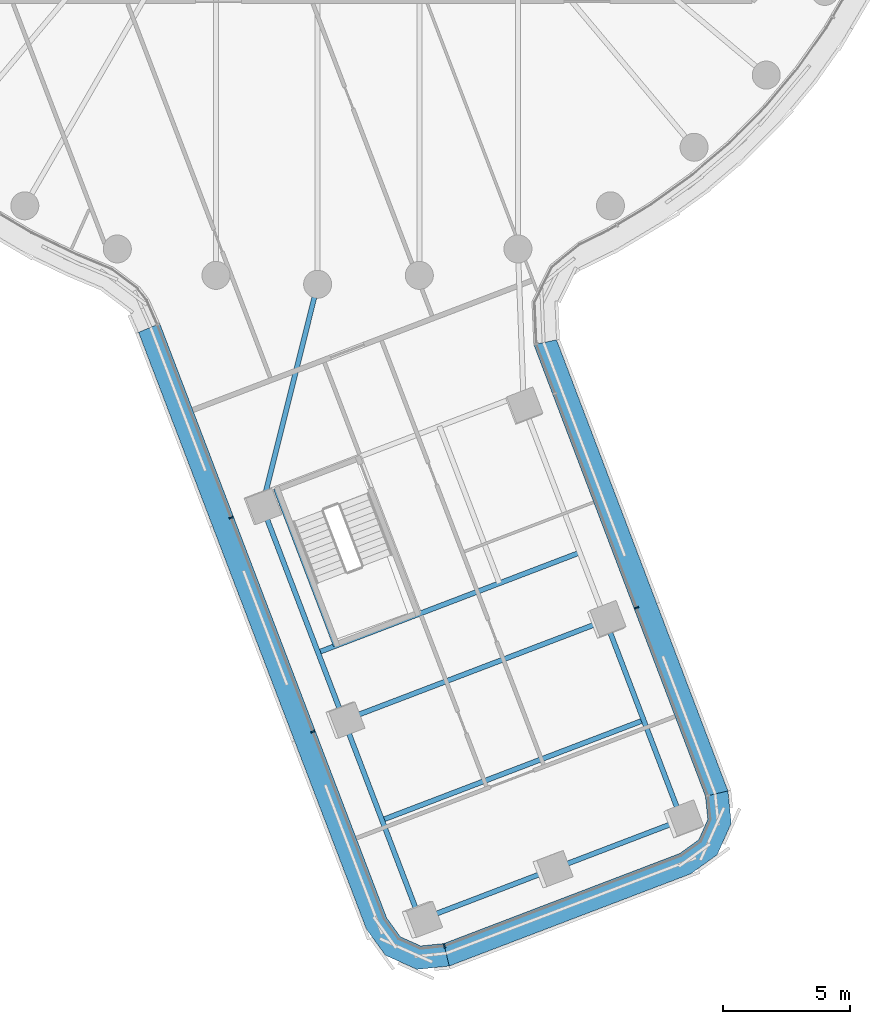
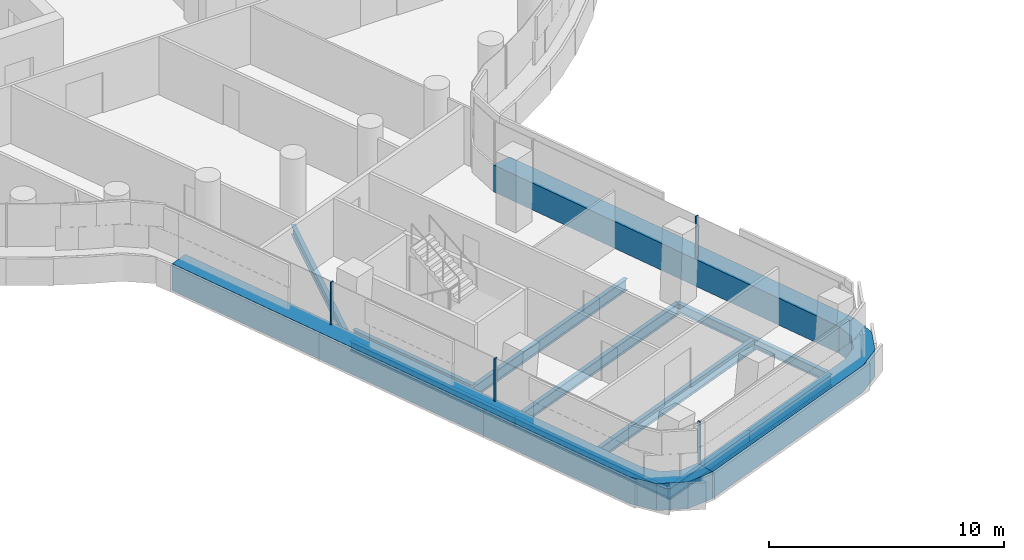
# One storey, part 2 of 32: 10 beams, 7 members, 3 elements without a shape of their own.
"""IFC4 building model written with IfcOpenShell, lengths in metres."""

from ifc_helpers import new_model, si_unit, direction, frame, origin, origin_2d, place, context, subcontext, project, spatial, polyline, rectangle, i_section, outline, extrude, material, layer, layer_set, material_profile, profile_set, type_object, element, aggregate, save


model = new_model("IFC4")

# Units and contexts
model_context = context("Model", 3, precision=1e-05, world=origin(), true_north=direction((0.0, 1.0)))
body_context = subcontext(model_context, "Body", "Model", "MODEL_VIEW")
ifc_project = project(units=[si_unit("LENGTHUNIT", "METRE"), si_unit("AREAUNIT", "SQUARE_METRE"), si_unit("VOLUMEUNIT", "CUBIC_METRE"), si_unit("PLANEANGLEUNIT", "RADIAN"), si_unit("MASSUNIT", "GRAM", prefix="KILO")], contexts=[model_context])

# Site, building, storey
site_placement = place(None, origin())
site = spatial("IfcSite", under=ifc_project, at=site_placement, CompositionType="ELEMENT")
building_placement = place(site_placement, origin())
building = spatial("IfcBuilding", under=site, at=building_placement, Name="Tamarind Cross Interchange Tower", CompositionType="ELEMENT")
storey_placement = place(building_placement, frame((0.0, 0.0, 109.75)))
storey = spatial("IfcBuildingStorey", under=building, at=storey_placement, Name="L26", CompositionType="ELEMENT", Elevation=109.75)

# Beams
ifc_material_1 = material(Name="Steel Q355B", Category="steel")
ifc_material_profile_1 = material_profile(ifc_material_1, i_section(OverallWidth=0.198974609375, OverallDepth=0.49609375, WebThickness=0.009033203125, FlangeThickness=0.013916015625, FilletRadius=0.012939453125, at=origin_2d()), Name="HN 496x199x9x14")
ifc_profile_set_1 = profile_set([ifc_material_profile_1], Name="Steel Q355B")
beam_type_1 = type_object("IfcBeamType", Name="Composite beam HN 496x199x9x14 Q355B", PredefinedType="BEAM", material=ifc_profile_set_1)
beam_1_placement = place(storey_placement, frame((4.025390625, -47.9638671875, -0.387939453125), z_axis=(-0.356667865353, 0.934231252862, 0.0), x_axis=(-0.934231252862, -0.356667865353, 0.0)))
element("IfcBeam", 1, at=beam_1_placement, inside=storey, type_object=beam_type_1, Name="Beam S-edgeem5", PredefinedType="BEAM", context=body_context, shape_type="SweptSolid", body=[
    extrude(i_section(OverallWidth=0.198974609375, OverallDepth=0.49609375, WebThickness=0.009033203125, FlangeThickness=0.013916015625, FilletRadius=0.012939453125, at=origin_2d()), origin(), (0.0, 0.0, 1.0), 8.39208984375),
])
beam_2_placement = place(storey_placement, frame((1.0322265625, -40.123779296875, -0.387939453125), z_axis=(-0.356691234546, 0.934222330711, 0.0), x_axis=(-0.934222330711, -0.356691234546, 0.0)))
element("IfcBeam", 2, at=beam_2_placement, inside=storey, type_object=beam_type_1, Name="Beam S-edgeem6", PredefinedType="BEAM", context=body_context, shape_type="SweptSolid", body=[
    extrude(i_section(OverallWidth=0.198974609375, OverallDepth=0.49609375, WebThickness=0.009033203125, FlangeThickness=0.013916015625, FilletRadius=0.012939453125, at=origin_2d()), origin(), (0.0, 0.0, 1.0), 9.0),
])
beam_3_placement = place(storey_placement, frame((14.3017578125, -44.040283203125, -0.387939453125), z_axis=(-0.356677559349, 0.934227551861, 0.0), x_axis=(-0.934227551861, -0.356677559349, 0.0)))
element("IfcBeam", 3, at=beam_3_placement, inside=storey, type_object=beam_type_1, Name="Beam S-edgeep2", PredefinedType="BEAM", context=body_context, shape_type="SweptSolid", body=[
    extrude(i_section(OverallWidth=0.198974609375, OverallDepth=0.49609375, WebThickness=0.009033203125, FlangeThickness=0.013916015625, FilletRadius=0.012939453125, at=origin_2d()), origin(), (0.0, 0.0, 1.0), 8.391845703125),
])
beam_4_placement = place(storey_placement, frame((-2.177978515625, -31.7158203125, -0.387939453125), z_axis=(0.242433315636, 0.970168071764, 0.0), x_axis=(-0.970168071764, 0.242433315636, 0.0)))
element("IfcBeam", 4, at=beam_4_placement, inside=storey, type_object=beam_type_1, Name="Beam S-linkem", PredefinedType="BEAM", context=body_context, shape_type="SweptSolid", body=[
    extrude(i_section(OverallWidth=0.198974609375, OverallDepth=0.49609375, WebThickness=0.009033203125, FlangeThickness=0.013916015625, FilletRadius=0.012939453125, at=origin_2d()), origin(), (0.0, 0.0, 1.0), 8.98388671875),
])
beam_5_placement = place(storey_placement, frame((-1.6376953125, -31.02783203125, -0.387939453125), z_axis=(0.356662824508, -0.934233177325, 0.0), x_axis=(0.934233177325, 0.356662824508, 0.0)))
element("IfcBeam", 5, at=beam_5_placement, inside=storey, type_object=beam_type_1, Name="Beam S-tr0", PredefinedType="BEAM", context=body_context, shape_type="SweptSolid", body=[
    extrude(i_section(OverallWidth=0.198974609375, OverallDepth=0.49609375, WebThickness=0.009033203125, FlangeThickness=0.013916015625, FilletRadius=0.012939453125, at=origin_2d()), origin(), (0.0, 0.0, 1.0), 6.60009765625),
])
ifc_material_profile_2 = material_profile(ifc_material_1, i_section(OverallWidth=0.199951171875, OverallDepth=0.60009765625, WebThickness=0.010986328125, FlangeThickness=0.01708984375, FilletRadius=0.012939453125, at=origin_2d()), Name="HN 600x200x11x17")
ifc_profile_set_2 = profile_set([ifc_material_profile_2], Name="Steel Q355B")
beam_type_2 = type_object("IfcBeamType", Name="Composite beam HN 600x200x11x17 Q355B", PredefinedType="BEAM", material=ifc_profile_set_2)
for number, where, z_axis, x_axis, name in (
    (6, (4.025390625, -47.9638671875, -0.43994140625), (0.93421462086, 0.356711427028, 0.0), (-0.356711427028, 0.93421462086, 0.0), "Beam S-tip0"),
    (7, (9.16357421875, -46.001953125, -0.43994140625), (0.934229412763, 0.356672685145, 0.0), (-0.356672685145, 0.934229412763, 0.0), "Beam S-tip1"),
):
    element("IfcBeam", number, at=place(storey_placement, frame(where, z_axis=z_axis, x_axis=x_axis)), inside=storey, type_object=beam_type_2, Name=name, PredefinedType="BEAM", context=body_context, shape_type="SweptSolid", body=[
        extrude(i_section(OverallWidth=0.199951171875, OverallDepth=0.60009765625, WebThickness=0.010986328125, FlangeThickness=0.01708984375, FilletRadius=0.012939453125, at=origin_2d()), origin(), (0.0, 0.0, 1.0), 5.5),
    ])
beam_6_placement = place(storey_placement, frame((0.015625, -37.46142578125, -0.43994140625), z_axis=(0.934224840688, 0.356684660507, 0.0), x_axis=(-0.356684660507, 0.934224840688, 0.0)))
element("IfcBeam", 8, at=beam_6_placement, inside=storey, type_object=beam_type_2, Name="Beam S-x364", PredefinedType="BEAM", context=body_context, shape_type="SweptSolid", body=[
    extrude(i_section(OverallWidth=0.199951171875, OverallDepth=0.60009765625, WebThickness=0.010986328125, FlangeThickness=0.01708984375, FilletRadius=0.012939453125, at=origin_2d()), origin(), (0.0, 0.0, 1.0), 11.000244140625),
])
for number, where, z_axis, x_axis, name in (
    (9, (1.0322265625, -40.123779296875, -0.43994140625), (0.934229412763, 0.356672685145, 0.0), (-0.356672685145, 0.934229412763, 0.0), "Beam S-x393"),
    (10, (2.52880859375, -44.043701171875, -0.43994140625), (0.934229412763, 0.356672685145, 0.0), (-0.356672685145, 0.934229412763, 0.0), "Beam S-x435"),
):
    element("IfcBeam", number, at=place(storey_placement, frame(where, z_axis=z_axis, x_axis=x_axis)), inside=storey, type_object=beam_type_2, Name=name, PredefinedType="BEAM", context=body_context, shape_type="SweptSolid", body=[
        extrude(i_section(OverallWidth=0.199951171875, OverallDepth=0.60009765625, WebThickness=0.010986328125, FlangeThickness=0.01708984375, FilletRadius=0.012939453125, at=origin_2d()), origin(), (0.0, 0.0, 1.0), 10.999755859375),
    ])

# Curtain wall, member
ifc_material_2 = material(Name="Aluminium 6063-T6", Category="aluminium")
ifc_layer = layer(ifc_material_2, 0.159912109375)
ifc_layer_set = layer_set([ifc_layer], Name="Aluminium 6063-T6")
curtain_wall_type = type_object("IfcCurtainWallType", Name="Office curtain wall, 9.0 m bays", PredefinedType="NOTDEFINED", material=ifc_layer_set)
curtain_wall_1_placement = place(storey_placement, origin())
curtain_wall_1 = element("IfcCurtainWall", 11, at=curtain_wall_1_placement, inside=storey, type_object=curtain_wall_type, Name="CWS-L26-03", PredefinedType="NOTDEFINED")
ifc_material_3 = material(Name="Aluminium and insulated spandrel panel", Category="aluminium")
member_type_1 = type_object("IfcMemberType", Name="Floor-edge blade transom", PredefinedType="USERDEFINED", material=ifc_material_3)
member_1_placement = place(storey_placement, origin())
member_1 = element("IfcMember", 12, at=member_1_placement, type_object=member_type_1, Name="CWT-L26-03", ObjectType="TRANSOM", PredefinedType="USERDEFINED", context=body_context, shape_type="SweptSolid", body=[
    extrude(outline(polyline([(-6.20068359375, -24.543212890625), (2.7119140625, -47.8876953125), (3.24853515625, -48.62939453125), (4.046875, -48.986328125), (4.957275390625, -48.892333984375), (5.167724609375, -49.775390625), (3.8994140625, -49.906494140625), (2.660888671875, -49.352294921875), (1.913330078125, -48.3193359375), (-7.033447265625, -24.885498046875), (-6.20068359375, -24.543212890625)])), origin(), (0.0, 0.0, 1.0), 1.39990234375),
])

curtain_wall_2_placement = place(storey_placement, origin())
curtain_wall_2 = element("IfcCurtainWall", 13, at=curtain_wall_2_placement, inside=storey, type_object=curtain_wall_type, Name="CWS-L26-04", PredefinedType="NOTDEFINED")
member_2_placement = place(storey_placement, origin())
member_2 = element("IfcMember", 14, at=member_2_placement, type_object=member_type_1, Name="CWT-L26-04", ObjectType="TRANSOM", PredefinedType="USERDEFINED", context=body_context, shape_type="SweptSolid", body=[
    extrude(outline(polyline([(4.957275390625, -48.892333984375), (14.225830078125, -45.353759765625), (14.96728515625, -44.817138671875), (15.324462890625, -44.018798828125), (15.23046875, -43.108154296875), (16.113525390625, -42.8984375), (16.24462890625, -44.166259765625), (15.6904296875, -45.40478515625), (14.657470703125, -46.15234375), (5.167724609375, -49.775390625), (4.957275390625, -48.892333984375)])), origin(), (0.0, 0.0, 1.0), 1.39990234375),
])

curtain_wall_3_placement = place(storey_placement, origin())
curtain_wall_3 = element("IfcCurtainWall", 15, at=curtain_wall_3_placement, inside=storey, type_object=curtain_wall_type, Name="CWS-L26-05", PredefinedType="NOTDEFINED")
member_3_placement = place(storey_placement, origin())
member_3 = element("IfcMember", 16, at=member_3_placement, type_object=member_type_1, Name="CWT-L26-05", ObjectType="TRANSOM", PredefinedType="USERDEFINED", context=body_context, shape_type="SweptSolid", body=[
    extrude(outline(polyline([(15.23046875, -43.108154296875), (8.4892578125, -25.366455078125), (9.38232421875, -25.182861328125), (16.113525390625, -42.8984375), (15.23046875, -43.108154296875)])), origin(), (0.0, 0.0, 1.0), 1.39990234375),
])

# Member
ifc_material_profile_3 = material_profile(ifc_material_2, rectangle(XDim=0.06005859375, YDim=0.159912109375, at=origin_2d()), Name="Mullion CW1")
ifc_profile_set_3 = profile_set([ifc_material_profile_3], Name="Aluminium 6063-T6")
member_type_2 = type_object("IfcMemberType", Name="Mullion CW1", PredefinedType="MULLION", material=ifc_profile_set_3)
member_4_placement = place(storey_placement, frame((-3.396728515625, -32.168212890625, 1.39990234375), z_axis=(0.0, 0.0, 1.0), x_axis=(0.356672778674, -0.934229377055, 0.0)))
member_4 = element("IfcMember", 17, at=member_4_placement, type_object=member_type_2, Name="CWM-L26-03-01", PredefinedType="MULLION", context=body_context, shape_type="SweptSolid", body=[
    extrude(rectangle(XDim=0.06005859375, YDim=0.159912109375, at=origin_2d()), origin(), (0.0, 0.0, 1.0), 2.210205078125),
])

member_5_placement = place(storey_placement, frame((-0.189208984375, -40.5693359375, 1.39990234375), z_axis=(0.0, 0.0, 1.0), x_axis=(0.356672778674, -0.934229377055, 0.0)))
member_5 = element("IfcMember", 18, at=member_5_placement, type_object=member_type_2, Name="CWM-L26-03-02", PredefinedType="MULLION", context=body_context, shape_type="SweptSolid", body=[
    extrude(rectangle(XDim=0.06005859375, YDim=0.159912109375, at=origin_2d()), origin(), (0.0, 0.0, 1.0), 2.210205078125),
])

aggregate(curtain_wall_1, [member_4, member_5, member_1])

member_6_placement = place(storey_placement, frame((4.980712890625, -48.990478515625, 1.39990234375), z_axis=(0.0, 0.0, 1.0), x_axis=(0.972792054895, 0.231679990362, 0.0)))
member_6 = element("IfcMember", 19, at=member_6_placement, type_object=member_type_2, Name="CWM-L26-04-00", PredefinedType="MULLION", context=body_context, shape_type="SweptSolid", body=[
    extrude(rectangle(XDim=0.06005859375, YDim=0.159912109375, at=origin_2d()), origin(), (0.0, 0.0, 1.0), 2.210205078125),
])

aggregate(curtain_wall_2, [member_6, member_2])

member_7_placement = place(storey_placement, frame((12.524658203125, -35.705078125, 1.39990234375), z_axis=(0.0, 0.0, 1.0), x_axis=(-0.355185773082, 0.934795735228, 0.0)))
member_7 = element("IfcMember", 20, at=member_7_placement, type_object=member_type_2, Name="CWM-L26-05-01", PredefinedType="MULLION", context=body_context, shape_type="SweptSolid", body=[
    extrude(rectangle(XDim=0.06005859375, YDim=0.159912109375, at=origin_2d()), origin(), (0.0, 0.0, 1.0), 2.210205078125),
])

aggregate(curtain_wall_3, [member_7, member_3])

save(model, "model.ifc")
